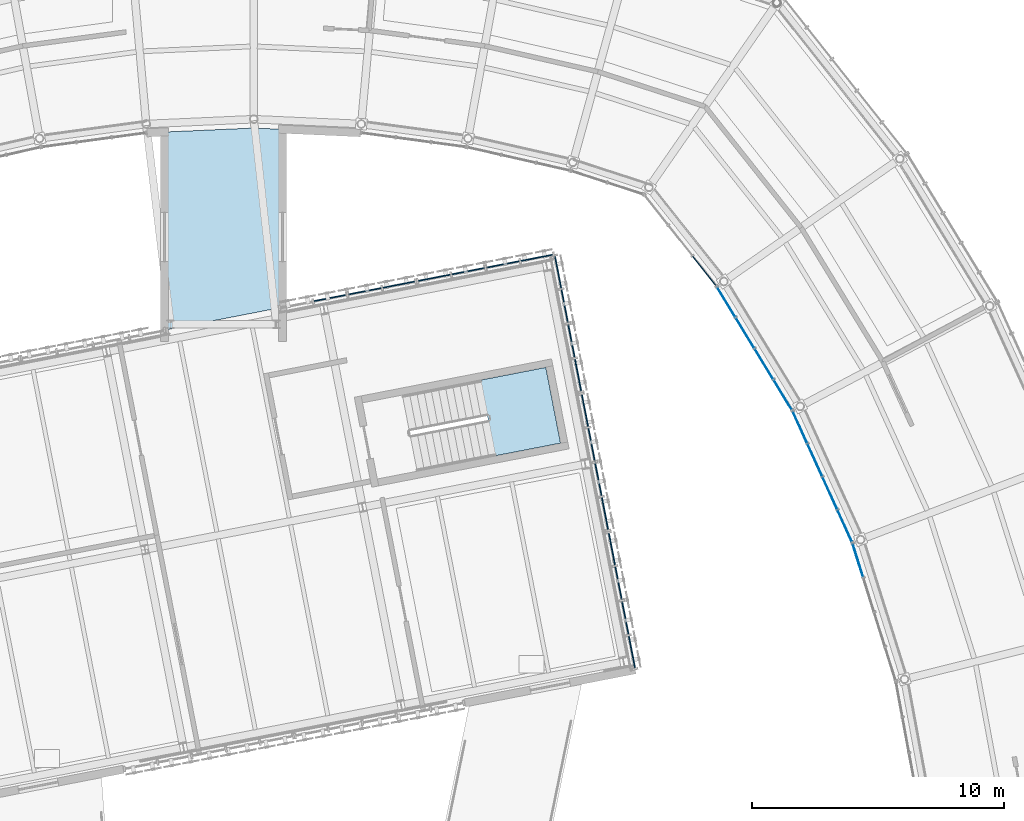
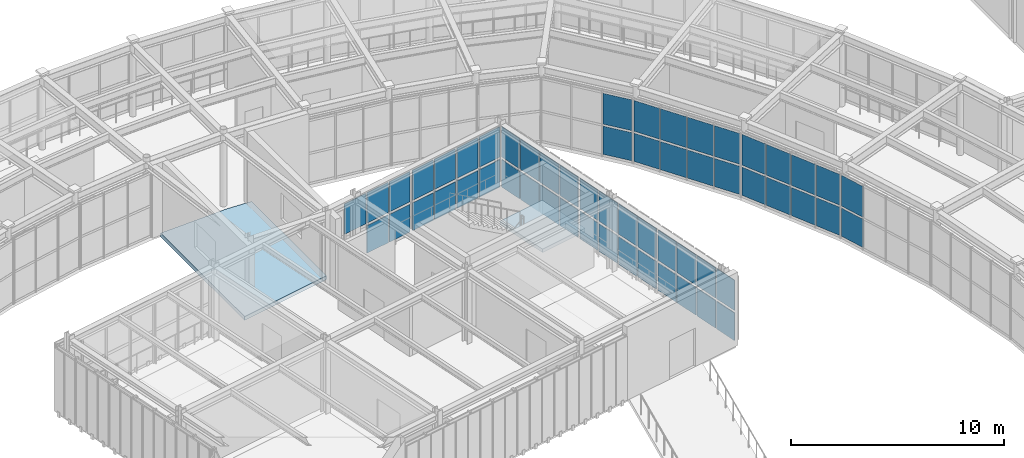
# One storey, part 65 of 103: 57 plates, 2 slabs, 10 elements without a shape of their own.
"""IFC4 building model written with IfcOpenShell, lengths in metres."""

from ifc_helpers import new_model, si_unit, direction, frame, origin, origin_2d, place, context, subcontext, project, spatial, polyline, rectangle, outline, extrude, material, layer, layer_set, type_object, element, aggregate, save


model = new_model("IFC4")

# Units and contexts
model_context = context("Model", 3, precision=1e-05, world=origin(), true_north=direction((0.0, 1.0)))
body_context = subcontext(model_context, "Body", "Model", "MODEL_VIEW")
ifc_project = project(units=[si_unit("LENGTHUNIT", "METRE"), si_unit("AREAUNIT", "SQUARE_METRE"), si_unit("VOLUMEUNIT", "CUBIC_METRE"), si_unit("PLANEANGLEUNIT", "RADIAN"), si_unit("MASSUNIT", "GRAM", prefix="KILO")], contexts=[model_context])

# Site, building, storey
site_placement = place(None, origin())
site = spatial("IfcSite", under=ifc_project, at=site_placement, CompositionType="ELEMENT")
building_placement = place(site_placement, origin())
building = spatial("IfcBuilding", under=site, at=building_placement, Name="Varnklinge Art Gallery", CompositionType="ELEMENT")
storey_placement = place(building_placement, frame((0.0, 0.0, 5.10009765625)))
storey = spatial("IfcBuildingStorey", under=building, at=storey_placement, Name="L01", CompositionType="ELEMENT", Elevation=5.10009765625)

# Curtain wall, plates
ifc_material_1 = material(Name="Anodised Aluminium", Category="aluminium")
curtain_wall_type_1 = type_object("IfcCurtainWallType", Name="CW-R04", PredefinedType="USERDEFINED", material=ifc_material_1)
curtain_wall_1_placement = place(storey_placement, origin())
curtain_wall_1 = element("IfcCurtainWall", 1, at=curtain_wall_1_placement, inside=storey, type_object=curtain_wall_type_1, Name="L01 Curtain Wall CW-V2I-L01-09", ObjectType="UNITISED CURTAIN WALL", PredefinedType="USERDEFINED")
ifc_material_2 = material(Name="Insulated Low-E Triple Glazing", Category="glass")
ifc_layer_1 = layer(ifc_material_2, 0.031982421875)
ifc_layer_set_1 = layer_set([ifc_layer_1], Name="Insulated Low-E Triple Glazing")
plate_type_1 = type_object("IfcPlateType", Name="GLZ-32", PredefinedType="CURTAIN_PANEL", material=ifc_layer_set_1)
plate_1_placement = place(storey_placement, frame((99.485107421875, 71.2275390625, 0.11767578125), z_axis=(0.0, 0.0, 1.0), x_axis=(0.299706904751, -0.954031326134, 0.0)))
plate_1 = element("IfcPlate", 2, at=plate_1_placement, type_object=plate_type_1, Name="CW-V2I-L01-09 Glazing Panel 1.1", PredefinedType="CURTAIN_PANEL", context=body_context, shape_type="SweptSolid", body=[
    extrude(rectangle(XDim=1.355712890625, YDim=0.031982421875, at=origin_2d()), origin(), (0.0, 0.0, 1.0), 1.614501953125),
])
plate_2_placement = place(storey_placement, frame((99.485107421875, 71.2275390625, 1.84814453125), z_axis=(0.0, 0.0, 1.0), x_axis=(0.299706904751, -0.954031326134, 0.0)))
plate_2 = element("IfcPlate", 3, at=plate_2_placement, type_object=plate_type_1, Name="CW-V2I-L01-09 Glazing Panel 1.2", PredefinedType="CURTAIN_PANEL", context=body_context, shape_type="SweptSolid", body=[
    extrude(rectangle(XDim=1.355712890625, YDim=0.031982421875, at=origin_2d()), origin(), (0.0, 0.0, 1.0), 1.763671875),
])
aggregate(curtain_wall_1, [plate_1, plate_2])

curtain_wall_2_placement = place(storey_placement, origin())
curtain_wall_2 = element("IfcCurtainWall", 4, at=curtain_wall_2_placement, inside=storey, type_object=curtain_wall_type_1, Name="L01 Curtain Wall CW-V2I-L01-10", ObjectType="UNITISED CURTAIN WALL", PredefinedType="USERDEFINED")
plate_3_placement = place(storey_placement, frame((97.1845703125, 76.5107421875, 0.11767578125), z_axis=(0.0, 0.0, 1.0), x_axis=(0.413422293217, -0.910539404678, 0.0)))
plate_3 = element("IfcPlate", 5, at=plate_3_placement, type_object=plate_type_1, Name="CW-V2I-L01-10 Glazing Panel 1.1", PredefinedType="CURTAIN_PANEL", context=body_context, shape_type="SweptSolid", body=[
    extrude(rectangle(XDim=1.355712890625, YDim=0.031982421875, at=origin_2d()), origin(), (0.0, 0.0, 1.0), 1.614501953125),
])
plate_4_placement = place(storey_placement, frame((97.1845703125, 76.5107421875, 1.84814453125), z_axis=(0.0, 0.0, 1.0), x_axis=(0.413422293217, -0.910539404678, 0.0)))
plate_4 = element("IfcPlate", 6, at=plate_4_placement, type_object=plate_type_1, Name="CW-V2I-L01-10 Glazing Panel 1.2", PredefinedType="CURTAIN_PANEL", context=body_context, shape_type="SweptSolid", body=[
    extrude(rectangle(XDim=1.355712890625, YDim=0.031982421875, at=origin_2d()), origin(), (0.0, 0.0, 1.0), 1.763671875),
])
plate_5_placement = place(storey_placement, frame((97.7744140625, 75.211669921875, 0.11767578125), z_axis=(0.0, 0.0, 1.0), x_axis=(0.413422293217, -0.910539404678, 0.0)))
plate_5 = element("IfcPlate", 7, at=plate_5_placement, type_object=plate_type_1, Name="CW-V2I-L01-10 Glazing Panel 2.1", PredefinedType="CURTAIN_PANEL", context=body_context, shape_type="SweptSolid", body=[
    extrude(rectangle(XDim=1.3857421875, YDim=0.031982421875, at=origin_2d()), origin(), (0.0, 0.0, 1.0), 1.614501953125),
])
plate_6_placement = place(storey_placement, frame((97.7744140625, 75.211669921875, 1.84814453125), z_axis=(0.0, 0.0, 1.0), x_axis=(0.413422293217, -0.910539404678, 0.0)))
plate_6 = element("IfcPlate", 8, at=plate_6_placement, type_object=plate_type_1, Name="CW-V2I-L01-10 Glazing Panel 2.2", PredefinedType="CURTAIN_PANEL", context=body_context, shape_type="SweptSolid", body=[
    extrude(rectangle(XDim=1.3857421875, YDim=0.031982421875, at=origin_2d()), origin(), (0.0, 0.0, 1.0), 1.763671875),
])
plate_7_placement = place(storey_placement, frame((98.370361328125, 73.898681640625, 0.11767578125), z_axis=(0.0, 0.0, 1.0), x_axis=(0.413422293217, -0.910539404678, 0.0)))
plate_7 = element("IfcPlate", 9, at=plate_7_placement, type_object=plate_type_1, Name="CW-V2I-L01-10 Glazing Panel 3.1", PredefinedType="CURTAIN_PANEL", context=body_context, shape_type="SweptSolid", body=[
    extrude(rectangle(XDim=1.3857421875, YDim=0.031982421875, at=origin_2d()), origin(), (0.0, 0.0, 1.0), 1.614501953125),
])
plate_8_placement = place(storey_placement, frame((98.370361328125, 73.898681640625, 1.84814453125), z_axis=(0.0, 0.0, 1.0), x_axis=(0.413422293217, -0.910539404678, 0.0)))
plate_8 = element("IfcPlate", 10, at=plate_8_placement, type_object=plate_type_1, Name="CW-V2I-L01-10 Glazing Panel 3.2", PredefinedType="CURTAIN_PANEL", context=body_context, shape_type="SweptSolid", body=[
    extrude(rectangle(XDim=1.3857421875, YDim=0.031982421875, at=origin_2d()), origin(), (0.0, 0.0, 1.0), 1.763671875),
])
plate_9_placement = place(storey_placement, frame((98.960205078125, 72.599609375, 0.11767578125), z_axis=(0.0, 0.0, 1.0), x_axis=(0.413422293217, -0.910539404678, 0.0)))
plate_9 = element("IfcPlate", 11, at=plate_9_placement, type_object=plate_type_1, Name="CW-V2I-L01-10 Glazing Panel 4.1", PredefinedType="CURTAIN_PANEL", context=body_context, shape_type="SweptSolid", body=[
    extrude(rectangle(XDim=1.355712890625, YDim=0.031982421875, at=origin_2d()), origin(), (0.0, 0.0, 1.0), 1.614501953125),
])
plate_10_placement = place(storey_placement, frame((98.960205078125, 72.599609375, 1.84814453125), z_axis=(0.0, 0.0, 1.0), x_axis=(0.413422293217, -0.910539404678, 0.0)))
plate_10 = element("IfcPlate", 12, at=plate_10_placement, type_object=plate_type_1, Name="CW-V2I-L01-10 Glazing Panel 4.2", PredefinedType="CURTAIN_PANEL", context=body_context, shape_type="SweptSolid", body=[
    extrude(rectangle(XDim=1.355712890625, YDim=0.031982421875, at=origin_2d()), origin(), (0.0, 0.0, 1.0), 1.763671875),
])
aggregate(curtain_wall_2, [plate_3, plate_4, plate_5, plate_6, plate_7, plate_8, plate_9, plate_10])

curtain_wall_3_placement = place(storey_placement, origin())
curtain_wall_3 = element("IfcCurtainWall", 13, at=curtain_wall_3_placement, inside=storey, type_object=curtain_wall_type_1, Name="L01 Curtain Wall CW-V2I-L01-11", ObjectType="UNITISED CURTAIN WALL", PredefinedType="USERDEFINED")
plate_11_placement = place(storey_placement, frame((94.259521484375, 81.475341796875, 0.11767578125), z_axis=(0.0, 0.0, 1.0), x_axis=(0.520860651188, -0.85364171761, 0.0)))
plate_11 = element("IfcPlate", 14, at=plate_11_placement, type_object=plate_type_1, Name="CW-V2I-L01-11 Glazing Panel 1.1", PredefinedType="CURTAIN_PANEL", context=body_context, shape_type="SweptSolid", body=[
    extrude(rectangle(XDim=1.355712890625, YDim=0.031982421875, at=origin_2d()), origin(), (0.0, 0.0, 1.0), 1.614501953125),
])
plate_12_placement = place(storey_placement, frame((94.259521484375, 81.475341796875, 1.84814453125), z_axis=(0.0, 0.0, 1.0), x_axis=(0.520860651188, -0.85364171761, 0.0)))
plate_12 = element("IfcPlate", 15, at=plate_12_placement, type_object=plate_type_1, Name="CW-V2I-L01-11 Glazing Panel 1.2", PredefinedType="CURTAIN_PANEL", context=body_context, shape_type="SweptSolid", body=[
    extrude(rectangle(XDim=1.355712890625, YDim=0.031982421875, at=origin_2d()), origin(), (0.0, 0.0, 1.0), 1.763671875),
])
plate_13_placement = place(storey_placement, frame((95.002685546875, 80.257568359375, 0.11767578125), z_axis=(0.0, 0.0, 1.0), x_axis=(0.520860651188, -0.85364171761, 0.0)))
plate_13 = element("IfcPlate", 16, at=plate_13_placement, type_object=plate_type_1, Name="CW-V2I-L01-11 Glazing Panel 2.1", PredefinedType="CURTAIN_PANEL", context=body_context, shape_type="SweptSolid", body=[
    extrude(rectangle(XDim=1.3857421875, YDim=0.031982421875, at=origin_2d()), origin(), (0.0, 0.0, 1.0), 1.614501953125),
])
plate_14_placement = place(storey_placement, frame((95.002685546875, 80.257568359375, 1.84814453125), z_axis=(0.0, 0.0, 1.0), x_axis=(0.520860651188, -0.85364171761, 0.0)))
plate_14 = element("IfcPlate", 17, at=plate_14_placement, type_object=plate_type_1, Name="CW-V2I-L01-11 Glazing Panel 2.2", PredefinedType="CURTAIN_PANEL", context=body_context, shape_type="SweptSolid", body=[
    extrude(rectangle(XDim=1.3857421875, YDim=0.031982421875, at=origin_2d()), origin(), (0.0, 0.0, 1.0), 1.763671875),
])
plate_15_placement = place(storey_placement, frame((95.753662109375, 79.02685546875, 0.11767578125), z_axis=(0.0, 0.0, 1.0), x_axis=(0.520860651188, -0.85364171761, 0.0)))
plate_15 = element("IfcPlate", 18, at=plate_15_placement, type_object=plate_type_1, Name="CW-V2I-L01-11 Glazing Panel 3.1", PredefinedType="CURTAIN_PANEL", context=body_context, shape_type="SweptSolid", body=[
    extrude(rectangle(XDim=1.3857421875, YDim=0.031982421875, at=origin_2d()), origin(), (0.0, 0.0, 1.0), 1.614501953125),
])
plate_16_placement = place(storey_placement, frame((95.753662109375, 79.02685546875, 1.84814453125), z_axis=(0.0, 0.0, 1.0), x_axis=(0.520860651188, -0.85364171761, 0.0)))
plate_16 = element("IfcPlate", 19, at=plate_16_placement, type_object=plate_type_1, Name="CW-V2I-L01-11 Glazing Panel 3.2", PredefinedType="CURTAIN_PANEL", context=body_context, shape_type="SweptSolid", body=[
    extrude(rectangle(XDim=1.3857421875, YDim=0.031982421875, at=origin_2d()), origin(), (0.0, 0.0, 1.0), 1.763671875),
])
plate_17_placement = place(storey_placement, frame((96.496826171875, 77.80908203125, 0.11767578125), z_axis=(0.0, 0.0, 1.0), x_axis=(0.520860651188, -0.85364171761, 0.0)))
plate_17 = element("IfcPlate", 20, at=plate_17_placement, type_object=plate_type_1, Name="CW-V2I-L01-11 Glazing Panel 4.1", PredefinedType="CURTAIN_PANEL", context=body_context, shape_type="SweptSolid", body=[
    extrude(rectangle(XDim=1.355712890625, YDim=0.031982421875, at=origin_2d()), origin(), (0.0, 0.0, 1.0), 1.614501953125),
])
plate_18_placement = place(storey_placement, frame((96.496826171875, 77.80908203125, 1.84814453125), z_axis=(0.0, 0.0, 1.0), x_axis=(0.520860651188, -0.85364171761, 0.0)))
plate_18 = element("IfcPlate", 21, at=plate_18_placement, type_object=plate_type_1, Name="CW-V2I-L01-11 Glazing Panel 4.2", PredefinedType="CURTAIN_PANEL", context=body_context, shape_type="SweptSolid", body=[
    extrude(rectangle(XDim=1.355712890625, YDim=0.031982421875, at=origin_2d()), origin(), (0.0, 0.0, 1.0), 1.763671875),
])
aggregate(curtain_wall_3, [plate_11, plate_12, plate_13, plate_14, plate_15, plate_16, plate_17, plate_18])

curtain_wall_4_placement = place(storey_placement, origin())
curtain_wall_4 = element("IfcCurtainWall", 22, at=curtain_wall_4_placement, inside=storey, type_object=curtain_wall_type_1, Name="L01 Curtain Wall CW-V2I-L01-12", ObjectType="UNITISED CURTAIN WALL", PredefinedType="USERDEFINED")
plate_19_placement = place(storey_placement, frame((93.385009765625, 82.7236328125, 0.11767578125), z_axis=(0.0, 0.0, 1.0), x_axis=(0.620737354217, -0.784018582101, 0.0)))
plate_19 = element("IfcPlate", 23, at=plate_19_placement, type_object=plate_type_1, Name="CW-V2I-L01-12 Glazing Panel 3.1", PredefinedType="CURTAIN_PANEL", context=body_context, shape_type="SweptSolid", body=[
    extrude(rectangle(XDim=1.4658203125, YDim=0.031982421875, at=origin_2d()), origin(), (0.0, 0.0, 1.0), 1.614501953125),
])
plate_20_placement = place(storey_placement, frame((93.385009765625, 82.7236328125, 1.84814453125), z_axis=(0.0, 0.0, 1.0), x_axis=(0.620737354217, -0.784018582101, 0.0)))
plate_20 = element("IfcPlate", 24, at=plate_20_placement, type_object=plate_type_1, Name="CW-V2I-L01-12 Glazing Panel 3.2", PredefinedType="CURTAIN_PANEL", context=body_context, shape_type="SweptSolid", body=[
    extrude(rectangle(XDim=1.4658203125, YDim=0.031982421875, at=origin_2d()), origin(), (0.0, 0.0, 1.0), 1.763671875),
])
aggregate(curtain_wall_4, [plate_19, plate_20])

ifc_material_3 = material(Name="Anodised Aluminium", Category="aluminium")
curtain_wall_type_2 = type_object("IfcCurtainWallType", Name="CW-L06", PredefinedType="USERDEFINED", material=ifc_material_3)
curtain_wall_5_placement = place(storey_placement, origin())
curtain_wall_5 = element("IfcCurtainWall", 25, at=curtain_wall_5_placement, inside=storey, type_object=curtain_wall_type_2, Name="L01 Curtain Wall CW-V4B-L01-2-1-1", ObjectType="UNITISED CURTAIN WALL", PredefinedType="USERDEFINED")
ifc_material_4 = material(Name="Insulated Low-E Triple Glazing", Category="glass")
ifc_layer_2 = layer(ifc_material_4, 0.0439453125)
ifc_layer_set_2 = layer_set([ifc_layer_2], Name="Insulated Low-E Triple Glazing")
plate_type_2 = type_object("IfcPlateType", Name="GLZ-44", PredefinedType="CURTAIN_PANEL", material=ifc_layer_set_2)
plate_21_placement = place(storey_placement, frame((90.51220703125, 67.593017578125, 0.14794921875), z_axis=(0.0, 0.0, 1.0), x_axis=(-0.190808995377, 0.981627183448, 0.0)))
plate_21 = element("IfcPlate", 26, at=plate_21_placement, type_object=plate_type_2, Name="CW-V4B-L01-2-1-1 Glazing Panel 1.1", PredefinedType="CURTAIN_PANEL", context=body_context, shape_type="SweptSolid", body=[
    extrude(rectangle(XDim=1.29150390625, YDim=0.0439453125, at=origin_2d()), origin(), (0.0, 0.0, 1.0), 1.5791015625),
])
plate_22_placement = place(storey_placement, frame((90.51220703125, 67.593017578125, 1.872802734375), z_axis=(0.0, 0.0, 1.0), x_axis=(-0.190808995377, 0.981627183448, 0.0)))
plate_22 = element("IfcPlate", 27, at=plate_22_placement, type_object=plate_type_2, Name="CW-V4B-L01-2-1-1 Glazing Panel 1.2", PredefinedType="CURTAIN_PANEL", context=body_context, shape_type="SweptSolid", body=[
    extrude(rectangle(XDim=1.29150390625, YDim=0.0439453125, at=origin_2d()), origin(), (0.0, 0.0, 1.0), 1.72900390625),
])
plate_23_placement = place(storey_placement, frame((90.24853515625, 68.948974609375, 0.14794921875), z_axis=(0.0, 0.0, 1.0), x_axis=(-0.190808995377, 0.981627183448, 0.0)))
plate_23 = element("IfcPlate", 28, at=plate_23_placement, type_object=plate_type_2, Name="CW-V4B-L01-2-1-1 Glazing Panel 2.1", PredefinedType="CURTAIN_PANEL", context=body_context, shape_type="SweptSolid", body=[
    extrude(rectangle(XDim=1.3291015625, YDim=0.0439453125, at=origin_2d()), origin(), (0.0, 0.0, 1.0), 1.5791015625),
])
plate_24_placement = place(storey_placement, frame((90.24853515625, 68.948974609375, 1.872802734375), z_axis=(0.0, 0.0, 1.0), x_axis=(-0.190808995377, 0.981627183448, 0.0)))
plate_24 = element("IfcPlate", 29, at=plate_24_placement, type_object=plate_type_2, Name="CW-V4B-L01-2-1-1 Glazing Panel 2.2", PredefinedType="CURTAIN_PANEL", context=body_context, shape_type="SweptSolid", body=[
    extrude(rectangle(XDim=1.3291015625, YDim=0.0439453125, at=origin_2d()), origin(), (0.0, 0.0, 1.0), 1.72900390625),
])
plate_25_placement = place(storey_placement, frame((89.9814453125, 70.3232421875, 0.14794921875), z_axis=(0.0, 0.0, 1.0), x_axis=(-0.190808995377, 0.981627183448, 0.0)))
plate_25 = element("IfcPlate", 30, at=plate_25_placement, type_object=plate_type_2, Name="CW-V4B-L01-2-1-1 Glazing Panel 3.1", PredefinedType="CURTAIN_PANEL", context=body_context, shape_type="SweptSolid", body=[
    extrude(rectangle(XDim=1.3291015625, YDim=0.0439453125, at=origin_2d()), origin(), (0.0, 0.0, 1.0), 1.5791015625),
])
plate_26_placement = place(storey_placement, frame((89.9814453125, 70.3232421875, 1.872802734375), z_axis=(0.0, 0.0, 1.0), x_axis=(-0.190808995377, 0.981627183448, 0.0)))
plate_26 = element("IfcPlate", 31, at=plate_26_placement, type_object=plate_type_2, Name="CW-V4B-L01-2-1-1 Glazing Panel 3.2", PredefinedType="CURTAIN_PANEL", context=body_context, shape_type="SweptSolid", body=[
    extrude(rectangle(XDim=1.3291015625, YDim=0.0439453125, at=origin_2d()), origin(), (0.0, 0.0, 1.0), 1.72900390625),
])
plate_27_placement = place(storey_placement, frame((89.718017578125, 71.67919921875, 0.14794921875), z_axis=(0.0, 0.0, 1.0), x_axis=(-0.190808995377, 0.981627183448, 0.0)))
plate_27 = element("IfcPlate", 32, at=plate_27_placement, type_object=plate_type_2, Name="CW-V4B-L01-2-1-1 Glazing Panel 4.1", PredefinedType="CURTAIN_PANEL", context=body_context, shape_type="SweptSolid", body=[
    extrude(rectangle(XDim=1.29150390625, YDim=0.0439453125, at=origin_2d()), origin(), (0.0, 0.0, 1.0), 1.5791015625),
])
plate_28_placement = place(storey_placement, frame((89.718017578125, 71.67919921875, 1.872802734375), z_axis=(0.0, 0.0, 1.0), x_axis=(-0.190808995377, 0.981627183448, 0.0)))
plate_28 = element("IfcPlate", 33, at=plate_28_placement, type_object=plate_type_2, Name="CW-V4B-L01-2-1-1 Glazing Panel 4.2", PredefinedType="CURTAIN_PANEL", context=body_context, shape_type="SweptSolid", body=[
    extrude(rectangle(XDim=1.29150390625, YDim=0.0439453125, at=origin_2d()), origin(), (0.0, 0.0, 1.0), 1.72900390625),
])
aggregate(curtain_wall_5, [plate_21, plate_22, plate_23, plate_24, plate_25, plate_26, plate_27, plate_28])

curtain_wall_6_placement = place(storey_placement, origin())
curtain_wall_6 = element("IfcCurtainWall", 34, at=curtain_wall_6_placement, inside=storey, type_object=curtain_wall_type_2, Name="L01 Curtain Wall CW-V4B-L01-2-1-2", ObjectType="UNITISED CURTAIN WALL", PredefinedType="USERDEFINED")
plate_29_placement = place(storey_placement, frame((89.443603515625, 73.090087890625, 0.14794921875), z_axis=(0.0, 0.0, 1.0), x_axis=(-0.190808995377, 0.981627183448, 0.0)))
plate_29 = element("IfcPlate", 35, at=plate_29_placement, type_object=plate_type_2, Name="CW-V4B-L01-2-1-2 Glazing Panel 1.1", PredefinedType="CURTAIN_PANEL", context=body_context, shape_type="SweptSolid", body=[
    extrude(rectangle(XDim=1.29150390625, YDim=0.0439453125, at=origin_2d()), origin(), (0.0, 0.0, 1.0), 1.5791015625),
])
plate_30_placement = place(storey_placement, frame((89.443603515625, 73.090087890625, 1.872802734375), z_axis=(0.0, 0.0, 1.0), x_axis=(-0.190808995377, 0.981627183448, 0.0)))
plate_30 = element("IfcPlate", 36, at=plate_30_placement, type_object=plate_type_2, Name="CW-V4B-L01-2-1-2 Glazing Panel 1.2", PredefinedType="CURTAIN_PANEL", context=body_context, shape_type="SweptSolid", body=[
    extrude(rectangle(XDim=1.29150390625, YDim=0.0439453125, at=origin_2d()), origin(), (0.0, 0.0, 1.0), 1.72900390625),
])
plate_31_placement = place(storey_placement, frame((89.18017578125, 74.446044921875, 0.14794921875), z_axis=(0.0, 0.0, 1.0), x_axis=(-0.190808995377, 0.981627183448, 0.0)))
plate_31 = element("IfcPlate", 37, at=plate_31_placement, type_object=plate_type_2, Name="CW-V4B-L01-2-1-2 Glazing Panel 2.1", PredefinedType="CURTAIN_PANEL", context=body_context, shape_type="SweptSolid", body=[
    extrude(rectangle(XDim=1.3291015625, YDim=0.0439453125, at=origin_2d()), origin(), (0.0, 0.0, 1.0), 1.5791015625),
])
plate_32_placement = place(storey_placement, frame((89.18017578125, 74.446044921875, 1.872802734375), z_axis=(0.0, 0.0, 1.0), x_axis=(-0.190808995377, 0.981627183448, 0.0)))
plate_32 = element("IfcPlate", 38, at=plate_32_placement, type_object=plate_type_2, Name="CW-V4B-L01-2-1-2 Glazing Panel 2.2", PredefinedType="CURTAIN_PANEL", context=body_context, shape_type="SweptSolid", body=[
    extrude(rectangle(XDim=1.3291015625, YDim=0.0439453125, at=origin_2d()), origin(), (0.0, 0.0, 1.0), 1.72900390625),
])
plate_33_placement = place(storey_placement, frame((88.912841796875, 75.8203125, 0.14794921875), z_axis=(0.0, 0.0, 1.0), x_axis=(-0.190808995377, 0.981627183448, 0.0)))
plate_33 = element("IfcPlate", 39, at=plate_33_placement, type_object=plate_type_2, Name="CW-V4B-L01-2-1-2 Glazing Panel 3.1", PredefinedType="CURTAIN_PANEL", context=body_context, shape_type="SweptSolid", body=[
    extrude(rectangle(XDim=1.3291015625, YDim=0.0439453125, at=origin_2d()), origin(), (0.0, 0.0, 1.0), 1.5791015625),
])
plate_34_placement = place(storey_placement, frame((88.912841796875, 75.8203125, 1.872802734375), z_axis=(0.0, 0.0, 1.0), x_axis=(-0.190808995377, 0.981627183448, 0.0)))
plate_34 = element("IfcPlate", 40, at=plate_34_placement, type_object=plate_type_2, Name="CW-V4B-L01-2-1-2 Glazing Panel 3.2", PredefinedType="CURTAIN_PANEL", context=body_context, shape_type="SweptSolid", body=[
    extrude(rectangle(XDim=1.3291015625, YDim=0.0439453125, at=origin_2d()), origin(), (0.0, 0.0, 1.0), 1.72900390625),
])
plate_35_placement = place(storey_placement, frame((88.6494140625, 77.17626953125, 0.14794921875), z_axis=(0.0, 0.0, 1.0), x_axis=(-0.190808995377, 0.981627183448, 0.0)))
plate_35 = element("IfcPlate", 41, at=plate_35_placement, type_object=plate_type_2, Name="CW-V4B-L01-2-1-2 Glazing Panel 4.1", PredefinedType="CURTAIN_PANEL", context=body_context, shape_type="SweptSolid", body=[
    extrude(rectangle(XDim=1.29150390625, YDim=0.0439453125, at=origin_2d()), origin(), (0.0, 0.0, 1.0), 1.5791015625),
])
plate_36_placement = place(storey_placement, frame((88.6494140625, 77.17626953125, 1.872802734375), z_axis=(0.0, 0.0, 1.0), x_axis=(-0.190808995377, 0.981627183448, 0.0)))
plate_36 = element("IfcPlate", 42, at=plate_36_placement, type_object=plate_type_2, Name="CW-V4B-L01-2-1-2 Glazing Panel 4.2", PredefinedType="CURTAIN_PANEL", context=body_context, shape_type="SweptSolid", body=[
    extrude(rectangle(XDim=1.29150390625, YDim=0.0439453125, at=origin_2d()), origin(), (0.0, 0.0, 1.0), 1.72900390625),
])
aggregate(curtain_wall_6, [plate_29, plate_30, plate_31, plate_32, plate_33, plate_34, plate_35, plate_36])

curtain_wall_7_placement = place(storey_placement, origin())
curtain_wall_7 = element("IfcCurtainWall", 43, at=curtain_wall_7_placement, inside=storey, type_object=curtain_wall_type_2, Name="L01 Curtain Wall CW-V4B-L01-2-1-3", ObjectType="UNITISED CURTAIN WALL", PredefinedType="USERDEFINED")
plate_37_placement = place(storey_placement, frame((88.375, 78.587158203125, 0.14794921875), z_axis=(0.0, 0.0, 1.0), x_axis=(-0.190808995377, 0.981627183448, 0.0)))
plate_37 = element("IfcPlate", 44, at=plate_37_placement, type_object=plate_type_2, Name="CW-V4B-L01-2-1-3 Glazing Panel 1.1", PredefinedType="CURTAIN_PANEL", context=body_context, shape_type="SweptSolid", body=[
    extrude(rectangle(XDim=1.29150390625, YDim=0.0439453125, at=origin_2d()), origin(), (0.0, 0.0, 1.0), 1.5791015625),
])
plate_38_placement = place(storey_placement, frame((88.375, 78.587158203125, 1.872802734375), z_axis=(0.0, 0.0, 1.0), x_axis=(-0.190808995377, 0.981627183448, 0.0)))
plate_38 = element("IfcPlate", 45, at=plate_38_placement, type_object=plate_type_2, Name="CW-V4B-L01-2-1-3 Glazing Panel 1.2", PredefinedType="CURTAIN_PANEL", context=body_context, shape_type="SweptSolid", body=[
    extrude(rectangle(XDim=1.29150390625, YDim=0.0439453125, at=origin_2d()), origin(), (0.0, 0.0, 1.0), 1.72900390625),
])
plate_39_placement = place(storey_placement, frame((88.111572265625, 79.943115234375, 0.14794921875), z_axis=(0.0, 0.0, 1.0), x_axis=(-0.190808995377, 0.981627183448, 0.0)))
plate_39 = element("IfcPlate", 46, at=plate_39_placement, type_object=plate_type_2, Name="CW-V4B-L01-2-1-3 Glazing Panel 2.1", PredefinedType="CURTAIN_PANEL", context=body_context, shape_type="SweptSolid", body=[
    extrude(rectangle(XDim=1.3291015625, YDim=0.0439453125, at=origin_2d()), origin(), (0.0, 0.0, 1.0), 1.5791015625),
])
plate_40_placement = place(storey_placement, frame((88.111572265625, 79.943115234375, 1.872802734375), z_axis=(0.0, 0.0, 1.0), x_axis=(-0.190808995377, 0.981627183448, 0.0)))
plate_40 = element("IfcPlate", 47, at=plate_40_placement, type_object=plate_type_2, Name="CW-V4B-L01-2-1-3 Glazing Panel 2.2", PredefinedType="CURTAIN_PANEL", context=body_context, shape_type="SweptSolid", body=[
    extrude(rectangle(XDim=1.3291015625, YDim=0.0439453125, at=origin_2d()), origin(), (0.0, 0.0, 1.0), 1.72900390625),
])
plate_41_placement = place(storey_placement, frame((87.844482421875, 81.3173828125, 0.14794921875), z_axis=(0.0, 0.0, 1.0), x_axis=(-0.190808995377, 0.981627183448, 0.0)))
plate_41 = element("IfcPlate", 48, at=plate_41_placement, type_object=plate_type_2, Name="CW-V4B-L01-2-1-3 Glazing Panel 3.1", PredefinedType="CURTAIN_PANEL", context=body_context, shape_type="SweptSolid", body=[
    extrude(rectangle(XDim=1.3291015625, YDim=0.0439453125, at=origin_2d()), origin(), (0.0, 0.0, 1.0), 1.5791015625),
])
plate_42_placement = place(storey_placement, frame((87.844482421875, 81.3173828125, 1.872802734375), z_axis=(0.0, 0.0, 1.0), x_axis=(-0.190808995377, 0.981627183448, 0.0)))
plate_42 = element("IfcPlate", 49, at=plate_42_placement, type_object=plate_type_2, Name="CW-V4B-L01-2-1-3 Glazing Panel 3.2", PredefinedType="CURTAIN_PANEL", context=body_context, shape_type="SweptSolid", body=[
    extrude(rectangle(XDim=1.3291015625, YDim=0.0439453125, at=origin_2d()), origin(), (0.0, 0.0, 1.0), 1.72900390625),
])
plate_43_placement = place(storey_placement, frame((87.580810546875, 82.67333984375, 0.14794921875), z_axis=(0.0, 0.0, 1.0), x_axis=(-0.190808995377, 0.981627183448, 0.0)))
plate_43 = element("IfcPlate", 50, at=plate_43_placement, type_object=plate_type_2, Name="CW-V4B-L01-2-1-3 Glazing Panel 4.1", PredefinedType="CURTAIN_PANEL", context=body_context, shape_type="SweptSolid", body=[
    extrude(rectangle(XDim=1.29150390625, YDim=0.0439453125, at=origin_2d()), origin(), (0.0, 0.0, 1.0), 1.5791015625),
])
plate_44_placement = place(storey_placement, frame((87.580810546875, 82.67333984375, 1.872802734375), z_axis=(0.0, 0.0, 1.0), x_axis=(-0.190808995377, 0.981627183448, 0.0)))
plate_44 = element("IfcPlate", 51, at=plate_44_placement, type_object=plate_type_2, Name="CW-V4B-L01-2-1-3 Glazing Panel 4.2", PredefinedType="CURTAIN_PANEL", context=body_context, shape_type="SweptSolid", body=[
    extrude(rectangle(XDim=1.29150390625, YDim=0.0439453125, at=origin_2d()), origin(), (0.0, 0.0, 1.0), 1.72900390625),
])
aggregate(curtain_wall_7, [plate_37, plate_38, plate_39, plate_40, plate_41, plate_42, plate_43, plate_44])

curtain_wall_8_placement = place(storey_placement, origin())
curtain_wall_8 = element("IfcCurtainWall", 52, at=curtain_wall_8_placement, inside=storey, type_object=curtain_wall_type_2, Name="L01 Curtain Wall CW-V4B-L01-3-1-1", ObjectType="UNITISED CURTAIN WALL", PredefinedType="USERDEFINED")
plate_45_placement = place(storey_placement, frame((86.739990234375, 83.241943359375, 0.14794921875), z_axis=(0.0, 0.0, 1.0), x_axis=(-0.981627183448, -0.190808995377, 0.0)))
plate_45 = element("IfcPlate", 53, at=plate_45_placement, type_object=plate_type_2, Name="CW-V4B-L01-3-1-1 Glazing Panel 1.1", PredefinedType="CURTAIN_PANEL", context=body_context, shape_type="SweptSolid", body=[
    extrude(rectangle(XDim=1.28759765625, YDim=0.0439453125, at=origin_2d()), origin(), (0.0, 0.0, 1.0), 1.5791015625),
])
plate_46_placement = place(storey_placement, frame((86.739990234375, 83.241943359375, 1.872802734375), z_axis=(0.0, 0.0, 1.0), x_axis=(-0.981627183448, -0.190808995377, 0.0)))
plate_46 = element("IfcPlate", 54, at=plate_46_placement, type_object=plate_type_2, Name="CW-V4B-L01-3-1-1 Glazing Panel 1.2", PredefinedType="CURTAIN_PANEL", context=body_context, shape_type="SweptSolid", body=[
    extrude(rectangle(XDim=1.28759765625, YDim=0.0439453125, at=origin_2d()), origin(), (0.0, 0.0, 1.0), 1.72900390625),
])
plate_47_placement = place(storey_placement, frame((85.387939453125, 82.979248046875, 0.14794921875), z_axis=(0.0, 0.0, 1.0), x_axis=(-0.981627183448, -0.190808995377, 0.0)))
plate_47 = element("IfcPlate", 55, at=plate_47_placement, type_object=plate_type_2, Name="CW-V4B-L01-3-1-1 Glazing Panel 2.1", PredefinedType="CURTAIN_PANEL", context=body_context, shape_type="SweptSolid", body=[
    extrude(rectangle(XDim=1.3251953125, YDim=0.0439453125, at=origin_2d()), origin(), (0.0, 0.0, 1.0), 1.5791015625),
])
plate_48_placement = place(storey_placement, frame((85.387939453125, 82.979248046875, 1.872802734375), z_axis=(0.0, 0.0, 1.0), x_axis=(-0.981627183448, -0.190808995377, 0.0)))
plate_48 = element("IfcPlate", 56, at=plate_48_placement, type_object=plate_type_2, Name="CW-V4B-L01-3-1-1 Glazing Panel 2.2", PredefinedType="CURTAIN_PANEL", context=body_context, shape_type="SweptSolid", body=[
    extrude(rectangle(XDim=1.3251953125, YDim=0.0439453125, at=origin_2d()), origin(), (0.0, 0.0, 1.0), 1.72900390625),
])
plate_49_placement = place(storey_placement, frame((84.017578125, 82.712890625, 0.14794921875), z_axis=(0.0, 0.0, 1.0), x_axis=(-0.981627183448, -0.190808995377, 0.0)))
plate_49 = element("IfcPlate", 57, at=plate_49_placement, type_object=plate_type_2, Name="CW-V4B-L01-3-1-1 Glazing Panel 3.1", PredefinedType="CURTAIN_PANEL", context=body_context, shape_type="SweptSolid", body=[
    extrude(rectangle(XDim=1.3251953125, YDim=0.0439453125, at=origin_2d()), origin(), (0.0, 0.0, 1.0), 1.5791015625),
])
plate_50_placement = place(storey_placement, frame((84.017578125, 82.712890625, 1.872802734375), z_axis=(0.0, 0.0, 1.0), x_axis=(-0.981627183448, -0.190808995377, 0.0)))
plate_50 = element("IfcPlate", 58, at=plate_50_placement, type_object=plate_type_2, Name="CW-V4B-L01-3-1-1 Glazing Panel 3.2", PredefinedType="CURTAIN_PANEL", context=body_context, shape_type="SweptSolid", body=[
    extrude(rectangle(XDim=1.3251953125, YDim=0.0439453125, at=origin_2d()), origin(), (0.0, 0.0, 1.0), 1.72900390625),
])
plate_51_placement = place(storey_placement, frame((82.665283203125, 82.449951171875, 0.14794921875), z_axis=(0.0, 0.0, 1.0), x_axis=(-0.981627183448, -0.190808995377, 0.0)))
plate_51 = element("IfcPlate", 59, at=plate_51_placement, type_object=plate_type_2, Name="CW-V4B-L01-3-1-1 Glazing Panel 4.1", PredefinedType="CURTAIN_PANEL", context=body_context, shape_type="SweptSolid", body=[
    extrude(rectangle(XDim=1.28759765625, YDim=0.0439453125, at=origin_2d()), origin(), (0.0, 0.0, 1.0), 1.5791015625),
])
plate_52_placement = place(storey_placement, frame((82.665283203125, 82.449951171875, 1.872802734375), z_axis=(0.0, 0.0, 1.0), x_axis=(-0.981627183448, -0.190808995377, 0.0)))
plate_52 = element("IfcPlate", 60, at=plate_52_placement, type_object=plate_type_2, Name="CW-V4B-L01-3-1-1 Glazing Panel 4.2", PredefinedType="CURTAIN_PANEL", context=body_context, shape_type="SweptSolid", body=[
    extrude(rectangle(XDim=1.28759765625, YDim=0.0439453125, at=origin_2d()), origin(), (0.0, 0.0, 1.0), 1.72900390625),
])
aggregate(curtain_wall_8, [plate_45, plate_46, plate_47, plate_48, plate_49, plate_50, plate_51, plate_52])

curtain_wall_9_placement = place(storey_placement, origin())
curtain_wall_9 = element("IfcCurtainWall", 61, at=curtain_wall_9_placement, inside=storey, type_object=curtain_wall_type_2, Name="L01 Curtain Wall CW-V4B-L01-3-1-2", ObjectType="UNITISED CURTAIN WALL", PredefinedType="USERDEFINED")
plate_53_placement = place(storey_placement, frame((81.25830078125, 82.176513671875, 0.14794921875), z_axis=(0.0, 0.0, 1.0), x_axis=(-0.981627183448, -0.190808995377, 0.0)))
plate_53 = element("IfcPlate", 62, at=plate_53_placement, type_object=plate_type_2, Name="CW-V4B-L01-3-1-2 Glazing Panel 1.1", PredefinedType="CURTAIN_PANEL", context=body_context, shape_type="SweptSolid", body=[
    extrude(rectangle(XDim=1.28759765625, YDim=0.0439453125, at=origin_2d()), origin(), (0.0, 0.0, 1.0), 1.5791015625),
])
plate_54_placement = place(storey_placement, frame((81.25830078125, 82.176513671875, 1.872802734375), z_axis=(0.0, 0.0, 1.0), x_axis=(-0.981627183448, -0.190808995377, 0.0)))
plate_54 = element("IfcPlate", 63, at=plate_54_placement, type_object=plate_type_2, Name="CW-V4B-L01-3-1-2 Glazing Panel 1.2", PredefinedType="CURTAIN_PANEL", context=body_context, shape_type="SweptSolid", body=[
    extrude(rectangle(XDim=1.28759765625, YDim=0.0439453125, at=origin_2d()), origin(), (0.0, 0.0, 1.0), 1.72900390625),
])
plate_55_placement = place(storey_placement, frame((79.906005859375, 81.91357421875, 0.14794921875), z_axis=(0.0, 0.0, 1.0), x_axis=(-0.981627183448, -0.190808995377, 0.0)))
plate_55 = element("IfcPlate", 64, at=plate_55_placement, type_object=plate_type_2, Name="CW-V4B-L01-3-1-2 Glazing Panel 2.1", PredefinedType="CURTAIN_PANEL", context=body_context, shape_type="SweptSolid", body=[
    extrude(rectangle(XDim=1.3251953125, YDim=0.0439453125, at=origin_2d()), origin(), (0.0, 0.0, 1.0), 1.5791015625),
])
plate_56_placement = place(storey_placement, frame((79.906005859375, 81.91357421875, 1.872802734375), z_axis=(0.0, 0.0, 1.0), x_axis=(-0.981627183448, -0.190808995377, 0.0)))
plate_56 = element("IfcPlate", 65, at=plate_56_placement, type_object=plate_type_2, Name="CW-V4B-L01-3-1-2 Glazing Panel 2.2", PredefinedType="CURTAIN_PANEL", context=body_context, shape_type="SweptSolid", body=[
    extrude(rectangle(XDim=1.3251953125, YDim=0.0439453125, at=origin_2d()), origin(), (0.0, 0.0, 1.0), 1.72900390625),
])
plate_57_placement = place(storey_placement, frame((78.53564453125, 81.647216796875, 1.872802734375), z_axis=(0.0, 0.0, 1.0), x_axis=(-0.981627183448, -0.190808995377, 0.0)))
plate_57 = element("IfcPlate", 66, at=plate_57_placement, type_object=plate_type_2, Name="CW-V4B-L01-3-1-2 Glazing Panel 3.2", PredefinedType="CURTAIN_PANEL", context=body_context, shape_type="SweptSolid", body=[
    extrude(rectangle(XDim=1.3251953125, YDim=0.0439453125, at=origin_2d()), origin(), (0.0, 0.0, 1.0), 1.72900390625),
])
aggregate(curtain_wall_9, [plate_53, plate_54, plate_55, plate_56, plate_57])

# Slab
ifc_material_5 = material(Name="Concrete C35/45", Category="concrete")
ifc_layer_3 = layer(ifc_material_5, 0.219970703125)
ifc_layer_set_3 = layer_set([ifc_layer_3], Name="Concrete C35/45")
slab_type_1 = type_object("IfcSlabType", Name="SLB-F22", PredefinedType="FLOOR", material=ifc_layer_set_3)
slab_1_placement = place(storey_placement, frame((0.0, 0.0, -0.22021484375)))
element("IfcSlab", 67, at=slab_1_placement, inside=storey, type_object=slab_type_1, Name="L01 LNK-V4N Gallery Link Slab", PredefinedType="FLOOR", context=body_context, shape_type="SweptSolid", body=[
    extrude(outline(polyline([(71.800048828125, 88.2294921875), (71.800048828125, 80.337890625), (76.800048828125, 81.309814453125), (76.800048828125, 88.337158203125), (75.5, 88.3955078125), (71.800048828125, 88.2294921875)])), origin(), (0.0, 0.0, 1.0), 0.22021484375),
])

# Stair, slab
ifc_material_6 = material(Name="Concrete C40/50", Category="concrete")
stair_type = type_object("IfcStairType", Name="STR-C4420", PredefinedType="HALF_TURN_STAIR", material=ifc_material_6)
stair_placement = place(storey_placement, origin())
stair = element("IfcStair", 68, at=stair_placement, inside=storey, type_object=stair_type, Name="L01 Core C8 Stair ST-10", PredefinedType="HALF_TURN_STAIR")
ifc_material_7 = material(Name="Concrete C40/50", Category="concrete")
ifc_layer_4 = layer(ifc_material_7, 0.199951171875)
ifc_layer_set_4 = layer_set([ifc_layer_4], Name="Concrete C40/50")
slab_type_2 = type_object("IfcSlabType", Name="SLB-LND20", PredefinedType="LANDING", material=ifc_layer_set_4)
slab_2_placement = place(storey_placement, frame((0.0, 0.0, 2.010009765625)))
slab_2 = element("IfcSlab", 69, at=slab_2_placement, type_object=slab_type_2, Name="ST-10 landing 1", PredefinedType="LANDING", context=body_context, shape_type="SweptSolid", body=[
    extrude(outline(polyline([(85.086181640625, 75.382080078125), (87.677734375, 75.8857421875), (87.09375, 78.8896484375), (84.502197265625, 78.3857421875), (85.086181640625, 75.382080078125)])), origin(), (0.0, 0.0, 1.0), 0.199951171875),
])
aggregate(stair, [slab_2])

save(model, "model.ifc")
